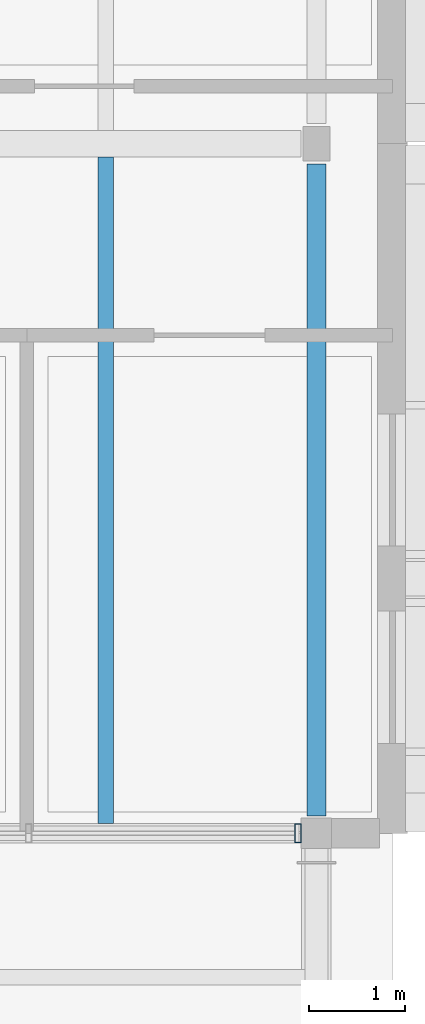
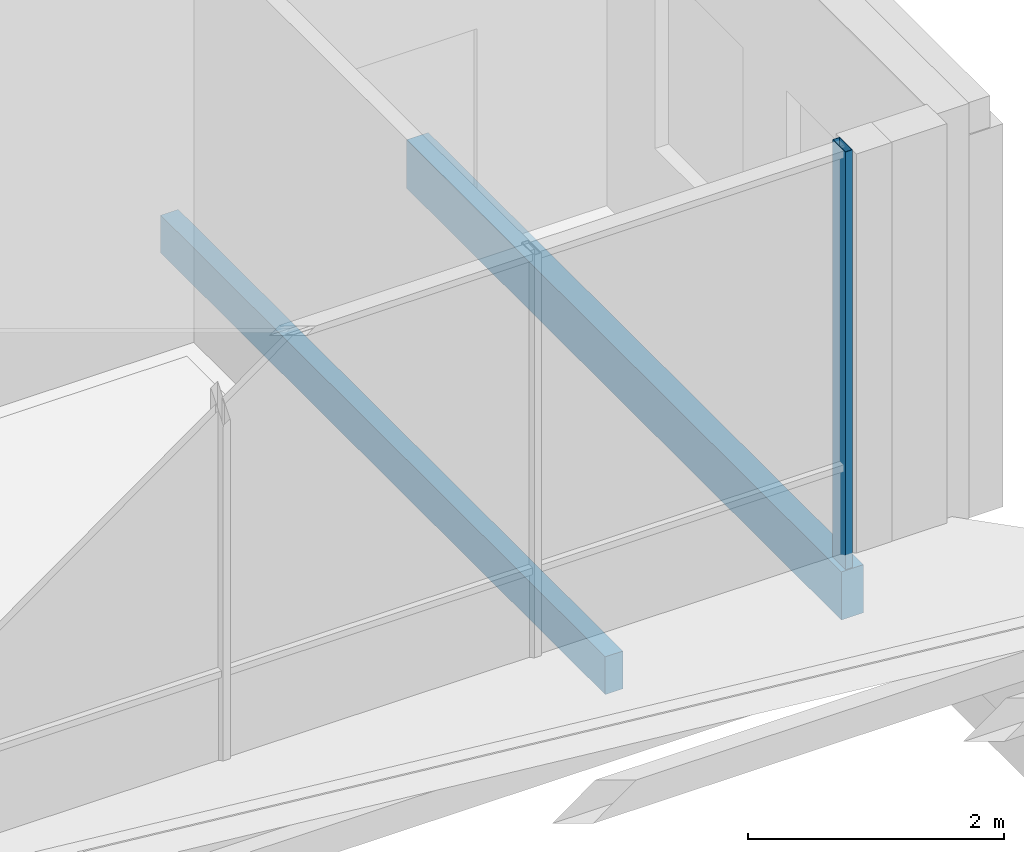
# One storey, part 44 of 115: 2 beams, 1 member, 1 element without a shape of its own.
"""IFC4 building model written with IfcOpenShell, lengths in metres."""

from ifc_helpers import new_model, si_unit, direction, frame, origin, origin_2d, place, context, subcontext, project, spatial, rectangle, hollow_rectangle, extrude, material, material_profile, profile_set, type_object, element, aggregate, save


model = new_model("IFC4")

# Units and contexts
model_context = context("Model", 3, precision=1e-05, world=origin(), true_north=direction((0.0, 1.0)))
body_context = subcontext(model_context, "Body", "Model", "MODEL_VIEW")
ifc_project = project(units=[si_unit("LENGTHUNIT", "METRE"), si_unit("AREAUNIT", "SQUARE_METRE"), si_unit("VOLUMEUNIT", "CUBIC_METRE"), si_unit("PLANEANGLEUNIT", "RADIAN"), si_unit("MASSUNIT", "GRAM", prefix="KILO")], contexts=[model_context])

# Site, building, storey
site_placement = place(None, origin())
site = spatial("IfcSite", under=ifc_project, at=site_placement, CompositionType="ELEMENT")
building_placement = place(site_placement, origin())
building = spatial("IfcBuilding", under=site, at=building_placement, Name="Hawrajan Terrace Health Centre", CompositionType="ELEMENT")
storey_placement = place(building_placement, frame((0.0, 0.0, 9.0)))
storey = spatial("IfcBuildingStorey", under=building, at=storey_placement, Name="L02", CompositionType="ELEMENT", Elevation=9.0)

# Curtain wall, member
ifc_material_1 = material(Name="Anodized bronze aluminium and low-E solar glazing", Category="aluminium")
curtain_wall_type = type_object("IfcCurtainWallType", Name="CW_Clerestory_SeriesG1", PredefinedType="USERDEFINED", material=ifc_material_1)
curtain_wall_placement = place(storey_placement, origin())
curtain_wall = element("IfcCurtainWall", 1, at=curtain_wall_placement, inside=storey, type_object=curtain_wall_type, Name="Curtain wall CW-L02-136", ObjectType="UNITISED CURTAIN WALL", PredefinedType="USERDEFINED")
ifc_material_2 = material(Name="Anodized bronze aluminium 6063-T6", Category="aluminium")
ifc_material_profile_1 = material_profile(ifc_material_2, hollow_rectangle(XDim=0.06494140625, YDim=0.199951171875, WallThickness=0.00439453125, at=origin_2d()), Name="CW MUL 65x200")
ifc_profile_set_1 = profile_set([ifc_material_profile_1], Name="Anodized bronze aluminium 6063-T6")
member_type = type_object("IfcMemberType", Name="CWMullion_65x200", PredefinedType="MULLION", material=ifc_profile_set_1)
member_placement = place(storey_placement, frame((70.8076171875, 45.39990234375, -0.0048828125), z_axis=(0.0, 0.0, 1.0), x_axis=(1.0, 0.0, 0.0)))
member = element("IfcMember", 2, at=member_placement, type_object=member_type, Name="Mullion CW-L02-136-M4", PredefinedType="MULLION", context=body_context, shape_type="SweptSolid", body=[
    extrude(hollow_rectangle(XDim=0.06494140625, YDim=0.199951171875, WallThickness=0.00439453125, at=origin_2d()), origin(), (0.0, 0.0, 1.0), 3.989990234375),
])
aggregate(curtain_wall, [member])

# Beams
ifc_material_3 = material(Name="Glulam GL28h", Category="wood")
ifc_material_profile_2 = material_profile(ifc_material_3, rectangle(XDim=0.159912109375, YDim=0.360107421875, at=origin_2d()), Name="GL JST 160x360")
ifc_profile_set_2 = profile_set([ifc_material_profile_2], Name="Glulam GL28h")
beam_type_1 = type_object("IfcBeamType", Name="GlulamJoist_160x360", PredefinedType="JOIST", material=ifc_profile_set_2)
beam_1_placement = place(storey_placement, frame((68.800048828125, 45.5, -0.419921875), z_axis=(0.0, 1.0, 0.0), x_axis=(-1.0, 0.0, 0.0)))
element("IfcBeam", 3, at=beam_1_placement, inside=storey, type_object=beam_type_1, Name="Secondary joist JST-L02-W-09-6-3", PredefinedType="JOIST", context=body_context, shape_type="SweptSolid", body=[
    extrude(rectangle(XDim=0.159912109375, YDim=0.360107421875, at=origin_2d()), origin(), (0.0, 0.0, 1.0), 6.9599609375),
])
ifc_material_4 = material(Name="Glulam GL32h", Category="wood")
ifc_material_profile_3 = material_profile(ifc_material_4, rectangle(XDim=0.199951171875, YDim=0.4599609375, at=origin_2d()), Name="GL SP 200x460")
ifc_profile_set_3 = profile_set([ifc_material_profile_3], Name="Glulam GL32h")
beam_type_2 = type_object("IfcBeamType", Name="GlulamSpandrel_200x460", PredefinedType="SPANDREL", material=ifc_profile_set_3)
beam_2_placement = place(storey_placement, frame((71.0, 45.580078125, -0.469970703125), z_axis=(0.0, 1.0, 0.0), x_axis=(-1.0, 0.0, 0.0)))
element("IfcBeam", 4, at=beam_2_placement, inside=storey, type_object=beam_type_2, Name="Beam BM-Y-L02-W-X10-6", PredefinedType="SPANDREL", context=body_context, shape_type="SweptSolid", body=[
    extrude(rectangle(XDim=0.199951171875, YDim=0.4599609375, at=origin_2d()), origin(), (0.0, 0.0, 1.0), 6.809814453125),
])

save(model, "model.ifc")
